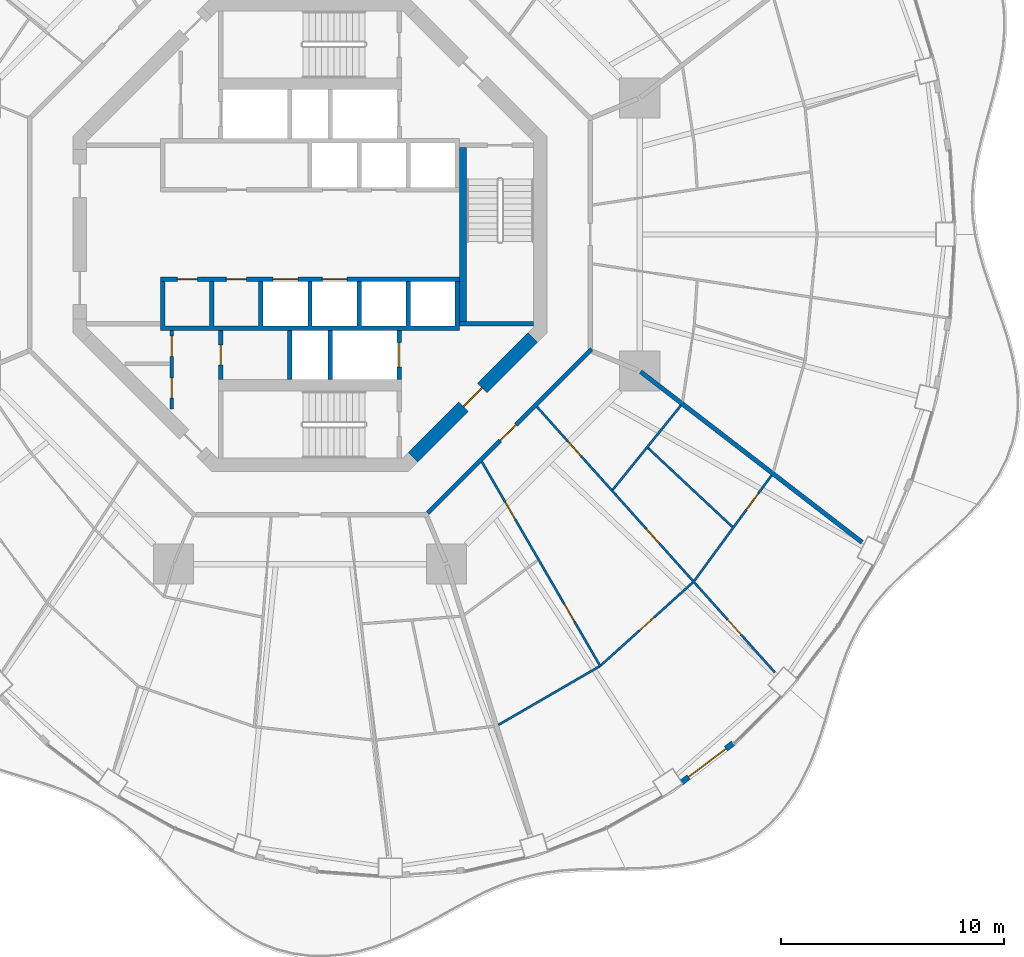
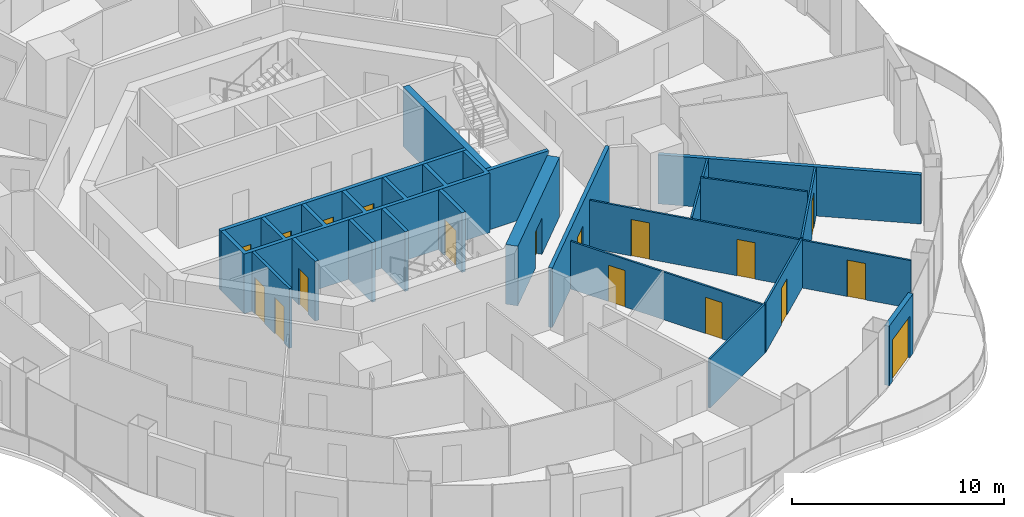
# One storey, part 12 of 19: 20 walls, 18 doors, 18 openings.
"""IFC4 building model written with IfcOpenShell, lengths in metres."""

import ifcopenshell
import ifcopenshell.guid

model = None  # the IFC model being written
_history = None  # IfcOwnerHistory: only IFC2X3 demands one
_inside = {}  # id of a spatial element -> (the spatial element, [elements in it])
_under = {}  # id of a project, library or spatial element -> (it, [spatial elements below it])
_declared = {}  # id of a project -> (the project, [libraries it declares])
_typed = {}  # id of a type object -> (the type object, [elements of that type])
_made_of = {}  # id of a material, layer set ... -> (it, [elements and type objects made of it])


def new_model(schema):
    """Start an empty IFC model of exactly this schema.

    Asked for "IFC4X3", IfcOpenShell would pick the latest addendum, in which some entities
    have other attributes; the version numbers below select the first issue.
    IFC2X3 requires an IfcOwnerHistory on every rooted entity: one is made here for all.
    """
    global model, _history
    if schema == "IFC4X3":
        model = ifcopenshell.file(schema_version=(4, 3, 0, 0))
    else:
        model = ifcopenshell.file(schema=schema)
    _inside.clear()
    _under.clear()
    _declared.clear()
    _typed.clear()
    _made_of.clear()
    _history = None
    if model.schema == "IFC2X3":
        org = make("IfcOrganization", Name="unknown")
        user = make(
            "IfcPersonAndOrganization",
            ThePerson=make("IfcPerson", FamilyName="unknown"),
            TheOrganization=org,
        )
        app = make(
            "IfcApplication",
            ApplicationDeveloper=org,
            Version="unknown",
            ApplicationFullName="unknown",
            ApplicationIdentifier="unknown",
        )
        _history = make(
            "IfcOwnerHistory",
            OwningUser=user,
            OwningApplication=app,
            ChangeAction="ADDED",
            CreationDate=0,
        )
    return model


def make(cls, **values):
    """One entity of the class cls with the attributes given. An attribute that is None is left unset."""
    return model.create_entity(
        cls, **{name: value for name, value in values.items() if value is not None}
    )


def rooted(cls, **values):
    """An entity with a GlobalId (a new one), such as an element, a storey or a relation."""
    return make(cls, GlobalId=ifcopenshell.guid.new(), OwnerHistory=_history, **values)


def si_unit(unit_type, name, prefix=None):
    """IfcSIUnit, for example si_unit("LENGTHUNIT", "METRE", prefix="MILLI")."""
    return make("IfcSIUnit", UnitType=unit_type, Prefix=prefix, Name=name)


def assignment(units):
    """IfcUnitAssignment: the units of a project."""
    return None if units is None else make("IfcUnitAssignment", Units=units)


def point(xyz):
    """IfcCartesianPoint."""
    return None if xyz is None else make("IfcCartesianPoint", Coordinates=xyz)


def direction(xyz):
    """IfcDirection."""
    return None if xyz is None else make("IfcDirection", DirectionRatios=xyz)


def frame(location, z_axis=None, x_axis=None):
    """IfcAxis2Placement3D, a coordinate frame: its origin and axes. An axis left out is left unset."""
    return make(
        "IfcAxis2Placement3D",
        Location=point(location),
        Axis=direction(z_axis),
        RefDirection=direction(x_axis),
    )


def frame_2d(location, x_axis=None):
    """IfcAxis2Placement2D, a coordinate frame in the plane: its origin and x axis."""
    return make(
        "IfcAxis2Placement2D", Location=point(location), RefDirection=direction(x_axis)
    )


def origin():
    """The frame at (0, 0, 0) with its axes left unset."""
    return frame((0.0, 0.0, 0.0))


def place(relative_to, where):
    """IfcLocalPlacement: puts the frame where relative to a parent placement (None: the world)."""
    return make(
        "IfcLocalPlacement", PlacementRelTo=relative_to, RelativePlacement=where
    )


def context(
    kind, dimensions, precision=None, world=None, true_north=None, identifier=None
):
    """IfcGeometricRepresentationContext, for example the 3D "Model" context."""
    return make(
        "IfcGeometricRepresentationContext",
        ContextIdentifier=identifier,
        ContextType=kind,
        CoordinateSpaceDimension=dimensions,
        Precision=precision,
        WorldCoordinateSystem=world,
        TrueNorth=true_north,
    )


def subcontext(parent, identifier, kind, view, scale=None):
    """IfcGeometricRepresentationSubContext, for example "Body" below "Model"."""
    return make(
        "IfcGeometricRepresentationSubContext",
        ContextIdentifier=identifier,
        ContextType=kind,
        ParentContext=parent,
        TargetScale=scale,
        TargetView=view,
    )


def project(units=None, contexts=None):
    """IfcProject with its units and contexts."""
    return rooted(
        "IfcProject",
        Name="project",
        RepresentationContexts=contexts,
        UnitsInContext=assignment(units),
    )


def spatial(cls, under=None, at=None, **own):
    """A site, building, storey or space (cls), placed at a placement, below another one or the project."""
    s = rooted(cls, ObjectPlacement=at, **own)
    if under is not None:
        _under.setdefault(under.id(), (under, []))[1].append(s)
    return s


def polyline(points):
    """IfcPolyline through the points."""
    return make("IfcPolyline", Points=[point(p) for p in points])


def profile(cls, at=None, kind="AREA", **sizes):
    """A parametric profile (cls). Its sizes go by their IFC names, for example OverallWidth=200.0."""
    return make(cls, ProfileType=kind, Position=at, **sizes)


def rectangle(**sizes):
    """IfcRectangleProfileDef."""
    return profile("IfcRectangleProfileDef", **sizes)


def outline(outer, holes=None, kind="AREA"):
    """IfcArbitraryClosedProfileDef: a profile drawn as a closed curve; with holes, ...WithVoids."""
    if holes is None:
        return make("IfcArbitraryClosedProfileDef", ProfileType=kind, OuterCurve=outer)
    return make(
        "IfcArbitraryProfileDefWithVoids",
        ProfileType=kind,
        OuterCurve=outer,
        InnerCurves=holes,
    )


def extrude(swept, where, along, depth):
    """IfcExtrudedAreaSolid: the profile swept, set in the frame where, extruded along a direction by depth."""
    return make(
        "IfcExtrudedAreaSolid",
        SweptArea=swept,
        Position=where,
        ExtrudedDirection=direction(along),
        Depth=depth,
    )


def shape(context_of_items, identifier, shape_type, items):
    """IfcShapeRepresentation: the items that make up one representation, for example the "Body"."""
    return make(
        "IfcShapeRepresentation",
        ContextOfItems=context_of_items,
        RepresentationIdentifier=identifier,
        RepresentationType=shape_type,
        Items=items,
    )


def material(Name=None, Category=None):
    """IfcMaterial."""
    return make("IfcMaterial", Name=Name, Category=Category)


def layer(
    of_material, thickness, ventilated=None, Name=None, Category=None, Priority=None
):
    """IfcMaterialLayer: one layer of a wall or slab, of a material (None: an air gap)."""
    return make(
        "IfcMaterialLayer",
        Material=of_material,
        LayerThickness=thickness,
        IsVentilated=ventilated,
        Name=Name,
        Category=Category,
        Priority=Priority,
    )


def layer_set(layers, Name=None):
    """IfcMaterialLayerSet."""
    return make("IfcMaterialLayerSet", MaterialLayers=layers, LayerSetName=Name)


def made_of(thing, what):
    """Note that an element or type object is made of a material, layer set ...; save() writes the relation."""
    if what is not None:
        _made_of.setdefault(what.id(), (what, []))[1].append(thing)
    return thing


def type_object(cls, material=None, **own):
    """A type object (cls), such as IfcWallType, which elements share."""
    return made_of(rooted(cls, **own), material)


def element(
    cls,
    number,
    at=None,
    inside=None,
    cuts=None,
    type_object=None,
    material=None,
    context=None,
    identifier="Body",
    shape_type=None,
    held_by="IfcProductDefinitionShape",
    body=None,
    shapes=None,
    **own,
):
    """One element of the class cls, such as IfcWall. Its Tag is "e" and its number.

    at: its placement. inside: the storey or other place that contains it. cuts: it is an
    opening in that element (IfcRelVoidsElement). A single representation is given by context,
    identifier, shape_type and body (its items); several are given by shapes. held_by: the class
    of the entity that holds the representations. save() writes the other relations.
    """
    e = rooted(cls, Tag="e%d" % number, ObjectPlacement=at, **own)
    if body is not None:
        shapes = [shape(context, identifier, shape_type, body)]
    if shapes is not None:
        e.Representation = make(held_by, Representations=shapes)
    if inside is not None:
        _inside.setdefault(inside.id(), (inside, []))[1].append(e)
    if cuts is not None:
        rooted(
            "IfcRelVoidsElement", RelatingBuildingElement=cuts, RelatedOpeningElement=e
        )
    if type_object is not None:
        _typed.setdefault(type_object.id(), (type_object, []))[1].append(e)
    return made_of(e, material)


def fill(opening, filler):
    """IfcRelFillsElement: the door or window that sits in an opening."""
    return rooted(
        "IfcRelFillsElement",
        RelatingOpeningElement=opening,
        RelatedBuildingElement=filler,
    )


def aggregate(whole, parts):
    """IfcRelAggregates: a whole, such as a stair, and the parts it consists of."""
    return rooted("IfcRelAggregates", RelatingObject=whole, RelatedObjects=parts)


def save(model, path):
    """Write the relations noted so far, then the file.

    IfcRelAggregates (storeys below a building ...), IfcRelContainedInSpatialStructure (elements
    in a storey), IfcRelDefinesByType, IfcRelAssociatesMaterial and IfcRelDeclares: one each for
    every whole, place, type object, material and project.
    """
    for whole, parts in _under.values():
        aggregate(whole, parts)
    for where, things in _inside.values():
        rooted(
            "IfcRelContainedInSpatialStructure",
            RelatedElements=things,
            RelatingStructure=where,
        )
    for kind, things in _typed.values():
        rooted("IfcRelDefinesByType", RelatedObjects=things, RelatingType=kind)
    for what, things in _made_of.values():
        rooted("IfcRelAssociatesMaterial", RelatedObjects=things, RelatingMaterial=what)
    for by, libraries in _declared.values():
        rooted("IfcRelDeclares", RelatingContext=by, RelatedDefinitions=libraries)
    model.write(path)


model = new_model("IFC4")

# Units and contexts
model_context = context("Model", 3, precision=1e-05, world=origin(), true_north=direction((0.0, 1.0)))
body_context = subcontext(model_context, "Body", "Model", "MODEL_VIEW")
ifc_project = project(units=[si_unit("LENGTHUNIT", "METRE"), si_unit("AREAUNIT", "SQUARE_METRE"), si_unit("VOLUMEUNIT", "CUBIC_METRE"), si_unit("PLANEANGLEUNIT", "RADIAN"), si_unit("MASSUNIT", "GRAM", prefix="KILO")], contexts=[model_context])

# Site, building, storey
site_placement = place(None, origin())
site = spatial("IfcSite", under=ifc_project, at=site_placement, CompositionType="ELEMENT")
building_placement = place(site_placement, origin())
building = spatial("IfcBuilding", under=site, at=building_placement, Name="Nagisa Residences", CompositionType="ELEMENT")
storey_placement = place(building_placement, frame((0.0, 0.0, 195.5)))
storey = spatial("IfcBuildingStorey", under=building, at=storey_placement, Name="L49", CompositionType="ELEMENT", Elevation=195.5)

# Wall
ifc_material_1 = material(Name="Gypsum board on steel studs", Category="steel")
ifc_layer_1 = layer(ifc_material_1, 0.199951171875)
ifc_layer_set_1 = layer_set([ifc_layer_1], Name="Apartment compartment wall EI60 200")
wall_type_1 = type_object("IfcWallType", Name="Apartment compartment wall EI60 200", PredefinedType="PARTITIONING", material=ifc_layer_set_1)
wall_1_placement = place(storey_placement, frame((14.82177734375, -6.153564453125, 0.0), z_axis=(0.0, 0.0, 1.0), x_axis=(0.792203056092, -0.610257583254, 0.0)))
element("IfcWall", 1, at=wall_1_placement, inside=storey, type_object=wall_type_1, Name="wall:L49:u09", PredefinedType="PARTITIONING", context=body_context, shape_type="SweptSolid", body=[
    extrude(rectangle(XDim=12.53271484375, YDim=0.199951171875, at=frame_2d((6.266357421875, 0.0))), origin(), (0.0, 0.0, 1.0), 2.8369140625),
])

# Wall, opening, door
ifc_material_2 = material(Name="Gypsum board on steel studs", Category="steel")
ifc_layer_2 = layer(ifc_material_2, 0.199951171875)
ifc_layer_set_2 = layer_set([ifc_layer_2], Name="Apartment entry wall EI60 200")
wall_type_2 = type_object("IfcWallType", Name="Apartment entry wall EI60 200", PredefinedType="PARTITIONING", material=ifc_layer_set_2)
wall_2_placement = place(storey_placement, frame((5.275146484375, -12.494140625, 0.0), z_axis=(0.0, 0.0, 1.0), x_axis=(0.707106781187, 0.707106781187, 0.0)))
wall_2 = element("IfcWall", 2, at=wall_2_placement, inside=storey, type_object=wall_type_2, Name="wall:L49:u17", PredefinedType="PARTITIONING", context=body_context, shape_type="SweptSolid", body=[
    extrude(rectangle(XDim=10.4091796875, YDim=0.199951171875, at=frame_2d((5.20458984375, 0.0))), origin(), (0.0, 0.0, 1.0), 3.43994140625),
])
opening_1_placement = place(wall_2_placement, frame((4.6044921875, 0.0, 0.0)))
opening_1 = element("IfcOpeningElement", 3, at=opening_1_placement, cuts=wall_2, Name="Opening L49-U14", PredefinedType="OPENING", context=body_context, shape_type="SweptSolid", body=[
    extrude(rectangle(XDim=1.0, YDim=2.10009765625, at=frame_2d((0.5, 1.050048828125))), frame((0.0, 0.10986328125, 0.0), z_axis=(0.0, -1.0, 0.0), x_axis=(1.0, 0.0, 0.0)), (0.0, 0.0, 1.0), 0.219970703125),
])
ifc_material_3 = material(Name="Timber fire door set", Category="wood")
door_type_1 = type_object("IfcDoorType", Name="Apartment entry door FD30S 1000x2100", OperationType="NOTDEFINED", PredefinedType="DOOR", material=ifc_material_3)
door_1_placement = place(opening_1_placement, frame((1.0, 0.0, 0.0), x_axis=(-1.0, 0.0, 0.0)))
door_1 = element("IfcDoor", 4, at=door_1_placement, inside=storey, type_object=door_type_1, Name="Entry door, Apartment 49B", OperationType="SINGLE_SWING_LEFT", OverallHeight=2.10009765625, OverallWidth=1.0, PredefinedType="DOOR", context=body_context, shape_type="SweptSolid", body=[
    extrude(rectangle(XDim=1.0, YDim=2.10009765625, at=frame_2d((0.5, 1.050048828125))), frame((0.0, 0.02490234375, 0.0), z_axis=(0.0, -1.0, 0.0), x_axis=(1.0, 0.0, 0.0)), (0.0, 0.0, 1.0), 0.050048828125),
])
fill(opening_1, door_1)

# Wall
ifc_material_4 = material(Name="Gypsum board on steel studs", Category="steel")
ifc_layer_3 = layer(ifc_material_4, 0.10009765625)
ifc_layer_set_3 = layer_set([ifc_layer_3], Name="Apartment partition 100")
wall_type_3 = type_object("IfcWallType", Name="Apartment partition 100", PredefinedType="PARTITIONING", material=ifc_layer_set_3)
wall_3_placement = place(storey_placement, frame((8.4482421875, -21.988037109375, 0.0), z_axis=(0.0, 0.0, 1.0), x_axis=(0.865286427811, 0.501277765163, 0.0)))
element("IfcWall", 5, at=wall_3_placement, inside=storey, type_object=wall_type_3, Name="wall:L49:u77", PredefinedType="PARTITIONING", context=body_context, shape_type="SweptSolid", body=[
    extrude(rectangle(XDim=5.219970703125, YDim=0.10009765625, at=frame_2d((2.60986328125, 0.0))), origin(), (0.0, 0.0, 1.0), 2.8369140625),
])

# Wall, openings, doors
wall_4_placement = place(storey_placement, frame((7.7080078125, -10.19775390625, 0.0), z_axis=(0.0, 0.0, 1.0), x_axis=(0.501288100085, -0.865280440501, 0.0)))
wall_4 = element("IfcWall", 6, at=wall_4_placement, inside=storey, type_object=wall_type_3, Name="wall:L49:u78", PredefinedType="PARTITIONING", context=body_context, shape_type="SweptSolid", body=[
    extrude(rectangle(XDim=10.623046875, YDim=0.10009765625, at=frame_2d((5.3115234375, 0.0))), origin(), (0.0, 0.0, 1.0), 2.756103515625),
])
opening_2_placement = place(wall_4_placement, frame((2.082275390625, 0.0, 0.0)))
opening_2 = element("IfcOpeningElement", 7, at=opening_2_placement, cuts=wall_4, Name="Opening L49-U15", PredefinedType="OPENING", context=body_context, shape_type="SweptSolid", body=[
    extrude(rectangle(XDim=0.89990234375, YDim=2.10009765625, at=frame_2d((0.449951171875, 1.050048828125))), frame((0.0, 0.06005859375, 0.0), z_axis=(0.0, -1.0, 0.0), x_axis=(1.0, 0.0, 0.0)), (0.0, 0.0, 1.0), 0.1201171875),
])
opening_3_placement = place(wall_4_placement, frame((7.36865234375, 0.0, 0.0)))
opening_3 = element("IfcOpeningElement", 8, at=opening_3_placement, cuts=wall_4, Name="Opening L49-U17", PredefinedType="OPENING", context=body_context, shape_type="SweptSolid", body=[
    extrude(rectangle(XDim=0.89990234375, YDim=2.10009765625, at=frame_2d((0.449951171875, 1.050048828125))), frame((0.0, 0.06005859375, 0.0), z_axis=(0.0, -1.0, 0.0), x_axis=(1.0, 0.0, 0.0)), (0.0, 0.0, 1.0), 0.1201171875),
])
ifc_material_5 = material(Name="Timber door set", Category="wood")
door_type_2 = type_object("IfcDoorType", Name="Apartment door 900x2100", OperationType="NOTDEFINED", PredefinedType="DOOR", material=ifc_material_5)
door_2_placement = place(opening_2_placement, frame((0.89990234375, 0.0, 0.0), x_axis=(-1.0, 0.0, 0.0)))
door_2 = element("IfcDoor", 9, at=door_2_placement, inside=storey, type_object=door_type_2, Name="Door to store, Apartment 49B", OperationType="SINGLE_SWING_RIGHT", OverallHeight=2.10009765625, OverallWidth=0.89990234375, PredefinedType="DOOR", context=body_context, shape_type="SweptSolid", body=[
    extrude(rectangle(XDim=0.89990234375, YDim=2.10009765625, at=frame_2d((0.449951171875, 1.050048828125))), frame((0.0, 0.02490234375, 0.0), z_axis=(0.0, -1.0, 0.0), x_axis=(1.0, 0.0, 0.0)), (0.0, 0.0, 1.0), 0.050048828125),
])
fill(opening_2, door_2)
door_3_placement = place(opening_3_placement, frame((0.89990234375, 0.0, 0.0), x_axis=(-1.0, 0.0, 0.0)))
door_3 = element("IfcDoor", 10, at=door_3_placement, inside=storey, type_object=door_type_2, Name="Door to kitchen, Apartment 49B", OperationType="SINGLE_SWING_RIGHT", OverallHeight=2.10009765625, OverallWidth=0.89990234375, PredefinedType="DOOR", context=body_context, shape_type="SweptSolid", body=[
    extrude(rectangle(XDim=0.89990234375, YDim=2.10009765625, at=frame_2d((0.449951171875, 1.050048828125))), frame((0.0, 0.02490234375, 0.0), z_axis=(0.0, -1.0, 0.0), x_axis=(1.0, 0.0, 0.0)), (0.0, 0.0, 1.0), 0.050048828125),
])
fill(opening_3, door_3)

# Wall, opening, door
wall_5_placement = place(storey_placement, frame((13.04541015625, -19.312744140625, 0.0), z_axis=(0.0, 0.0, 1.0), x_axis=(0.742790086539, 0.66952437397, 0.0)))
wall_5 = element("IfcWall", 11, at=wall_5_placement, inside=storey, type_object=wall_type_3, Name="wall:L49:u79", PredefinedType="PARTITIONING", context=body_context, shape_type="SweptSolid", body=[
    extrude(rectangle(XDim=5.54150390625, YDim=0.10009765625, at=frame_2d((2.770751953125, 0.0))), origin(), (0.0, 0.0, 1.0), 2.8369140625),
])
opening_4_placement = place(wall_5_placement, frame((2.32080078125, 0.0, 0.0)))
opening_4 = element("IfcOpeningElement", 12, at=opening_4_placement, cuts=wall_5, Name="Opening L49-U19", PredefinedType="OPENING", context=body_context, shape_type="SweptSolid", body=[
    extrude(rectangle(XDim=0.89990234375, YDim=2.10009765625, at=frame_2d((0.449951171875, 1.050048828125))), frame((0.0, 0.06005859375, 0.0), z_axis=(0.0, -1.0, 0.0), x_axis=(1.0, 0.0, 0.0)), (0.0, 0.0, 1.0), 0.1201171875),
])
door_4_placement = place(opening_4_placement, frame((0.89990234375, 0.0, 0.0), x_axis=(-1.0, 0.0, 0.0)))
door_4 = element("IfcDoor", 13, at=door_4_placement, inside=storey, type_object=door_type_2, Name="Door to living room, Apartment 49B", OperationType="SINGLE_SWING_RIGHT", OverallHeight=2.10009765625, OverallWidth=0.89990234375, PredefinedType="DOOR", context=body_context, shape_type="SweptSolid", body=[
    extrude(rectangle(XDim=0.89990234375, YDim=2.10009765625, at=frame_2d((0.449951171875, 1.050048828125))), frame((0.0, 0.02490234375, 0.0), z_axis=(0.0, -1.0, 0.0), x_axis=(1.0, 0.0, 0.0)), (0.0, 0.0, 1.0), 0.050048828125),
])
fill(opening_4, door_4)

# Wall, openings, doors
wall_6_placement = place(storey_placement, frame((10.177978515625, -7.732421875, 0.0), z_axis=(0.0, 0.0, 1.0), x_axis=(0.667283629999, -0.74480370376, 0.0)))
wall_6 = element("IfcWall", 14, at=wall_6_placement, inside=storey, type_object=wall_type_3, Name="wall:L49:u80", PredefinedType="PARTITIONING", context=body_context, shape_type="SweptSolid", body=[
    extrude(rectangle(XDim=15.983154296875, YDim=0.10009765625, at=frame_2d((7.99169921875, 0.0))), origin(), (0.0, 0.0, 1.0), 2.756103515625),
])
opening_5_placement = place(wall_6_placement, frame((2.069580078125, 0.0, 0.0)))
opening_5 = element("IfcOpeningElement", 15, at=opening_5_placement, cuts=wall_6, Name="Opening L49-U16", PredefinedType="OPENING", context=body_context, shape_type="SweptSolid", body=[
    extrude(rectangle(XDim=0.89990234375, YDim=2.10009765625, at=frame_2d((0.449951171875, 1.050048828125))), frame((0.0, 0.06005859375, 0.0), z_axis=(0.0, -1.0, 0.0), x_axis=(1.0, 0.0, 0.0)), (0.0, 0.0, 1.0), 0.1201171875),
])
opening_6_placement = place(wall_6_placement, frame((7.33056640625, 0.0, 0.0)))
opening_6 = element("IfcOpeningElement", 16, at=opening_6_placement, cuts=wall_6, Name="Opening L49-U18", PredefinedType="OPENING", context=body_context, shape_type="SweptSolid", body=[
    extrude(rectangle(XDim=0.89990234375, YDim=2.10009765625, at=frame_2d((0.449951171875, 1.050048828125))), frame((0.0, 0.06005859375, 0.0), z_axis=(0.0, -1.0, 0.0), x_axis=(1.0, 0.0, 0.0)), (0.0, 0.0, 1.0), 0.1201171875),
])
opening_7_placement = place(wall_6_placement, frame((12.80224609375, 0.0, 0.0)))
opening_7 = element("IfcOpeningElement", 17, at=opening_7_placement, cuts=wall_6, Name="Opening L49-U20", PredefinedType="OPENING", context=body_context, shape_type="SweptSolid", body=[
    extrude(rectangle(XDim=0.89990234375, YDim=2.10009765625, at=frame_2d((0.449951171875, 1.050048828125))), frame((0.0, 0.06005859375, 0.0), z_axis=(0.0, -1.0, 0.0), x_axis=(1.0, 0.0, 0.0)), (0.0, 0.0, 1.0), 0.1201171875),
])
door_5_placement = place(opening_5_placement, origin())
door_5 = element("IfcDoor", 18, at=door_5_placement, inside=storey, type_object=door_type_2, Name="Door to family bathroom, Apartment 49B", OperationType="SINGLE_SWING_RIGHT", OverallHeight=2.10009765625, OverallWidth=0.89990234375, PredefinedType="DOOR", context=body_context, shape_type="SweptSolid", body=[
    extrude(rectangle(XDim=0.89990234375, YDim=2.10009765625, at=frame_2d((0.449951171875, 1.050048828125))), frame((0.0, 0.02490234375, 0.0), z_axis=(0.0, -1.0, 0.0), x_axis=(1.0, 0.0, 0.0)), (0.0, 0.0, 1.0), 0.050048828125),
])
fill(opening_5, door_5)
door_6_placement = place(opening_6_placement, origin())
door_6 = element("IfcDoor", 19, at=door_6_placement, inside=storey, type_object=door_type_2, Name="Door to family bathroom, Apartment 49B", OperationType="SINGLE_SWING_RIGHT", OverallHeight=2.10009765625, OverallWidth=0.89990234375, PredefinedType="DOOR", context=body_context, shape_type="SweptSolid", body=[
    extrude(rectangle(XDim=0.89990234375, YDim=2.10009765625, at=frame_2d((0.449951171875, 1.050048828125))), frame((0.0, 0.02490234375, 0.0), z_axis=(0.0, -1.0, 0.0), x_axis=(1.0, 0.0, 0.0)), (0.0, 0.0, 1.0), 0.050048828125),
])
fill(opening_6, door_6)
door_7_placement = place(opening_7_placement, origin())
door_7 = element("IfcDoor", 20, at=door_7_placement, inside=storey, type_object=door_type_2, Name="Door to master bedroom, Apartment 49B", OperationType="SINGLE_SWING_RIGHT", OverallHeight=2.10009765625, OverallWidth=0.89990234375, PredefinedType="DOOR", context=body_context, shape_type="SweptSolid", body=[
    extrude(rectangle(XDim=0.89990234375, YDim=2.10009765625, at=frame_2d((0.449951171875, 1.050048828125))), frame((0.0, 0.02490234375, 0.0), z_axis=(0.0, -1.0, 0.0), x_axis=(1.0, 0.0, 0.0)), (0.0, 0.0, 1.0), 0.050048828125),
])
fill(opening_7, door_7)

# Wall
wall_7_placement = place(storey_placement, frame((13.572265625, -11.447021484375, 0.0), z_axis=(0.0, 0.0, 1.0), x_axis=(0.628738316533, 0.777616955399, 0.0)))
element("IfcWall", 21, at=wall_7_placement, inside=storey, type_object=wall_type_3, Name="wall:L49:u81", PredefinedType="PARTITIONING", context=body_context, shape_type="SweptSolid", body=[
    extrude(rectangle(XDim=4.857177734375, YDim=0.10009765625, at=frame_2d((2.4287109375, 0.0))), origin(), (0.0, 0.0, 1.0), 2.8369140625),
])

# Wall, opening, door
wall_8_placement = place(storey_placement, frame((17.228515625, -15.528564453125, 0.0), z_axis=(0.0, 0.0, 1.0), x_axis=(0.591110768293, 0.806590391468, 0.0)))
wall_8 = element("IfcWall", 22, at=wall_8_placement, inside=storey, type_object=wall_type_3, Name="wall:L49:u82", PredefinedType="PARTITIONING", context=body_context, shape_type="SweptSolid", body=[
    extrude(rectangle(XDim=5.85986328125, YDim=0.10009765625, at=frame_2d((2.929931640625, 0.0))), origin(), (0.0, 0.0, 1.0), 2.8369140625),
])
opening_8_placement = place(wall_8_placement, frame((3.95751953125, 0.0, 0.0)))
opening_8 = element("IfcOpeningElement", 23, at=opening_8_placement, cuts=wall_8, Name="Opening L49-U21", PredefinedType="OPENING", context=body_context, shape_type="SweptSolid", body=[
    extrude(rectangle(XDim=0.89990234375, YDim=2.10009765625, at=frame_2d((0.449951171875, 1.050048828125))), frame((0.0, 0.06005859375, 0.0), z_axis=(0.0, -1.0, 0.0), x_axis=(1.0, 0.0, 0.0)), (0.0, 0.0, 1.0), 0.1201171875),
])
door_8_placement = place(opening_8_placement, origin())
door_8 = element("IfcDoor", 24, at=door_8_placement, inside=storey, type_object=door_type_2, Name="Door to en-suite bathroom, Apartment 49B", OperationType="SINGLE_SWING_LEFT", OverallHeight=2.10009765625, OverallWidth=0.89990234375, PredefinedType="DOOR", context=body_context, shape_type="SweptSolid", body=[
    extrude(rectangle(XDim=0.89990234375, YDim=2.10009765625, at=frame_2d((0.449951171875, 1.050048828125))), frame((0.0, 0.02490234375, 0.0), z_axis=(0.0, -1.0, 0.0), x_axis=(1.0, 0.0, 0.0)), (0.0, 0.0, 1.0), 0.050048828125),
])
fill(opening_8, door_8)

# Wall
wall_9_placement = place(storey_placement, frame((15.151611328125, -9.572998046875, 0.0), z_axis=(0.0, 0.0, 1.0), x_axis=(0.730723083214, -0.682673989294, 0.0)))
element("IfcWall", 25, at=wall_9_placement, inside=storey, type_object=wall_type_3, Name="wall:L49:u83", PredefinedType="PARTITIONING", context=body_context, shape_type="SweptSolid", body=[
    extrude(rectangle(XDim=5.1826171875, YDim=0.10009765625, at=frame_2d((2.59130859375, 0.0))), origin(), (0.0, 0.0, 1.0), 3.43994140625),
])

# Wall, opening, door
ifc_material_6 = material(Name="Precast concrete C40/50", Category="concrete")
ifc_layer_4 = layer(ifc_material_6, 0.25)
ifc_layer_set_4 = layer_set([ifc_layer_4], Name="BALCONY DOOR WALL 250")
wall_type_4 = type_object("IfcWallType", Name="BALCONY DOOR WALL 250", PredefinedType="SOLIDWALL", material=ifc_layer_set_4)
wall_10_placement = place(storey_placement, frame((18.9716796875, -22.80859375, 0.0), z_axis=(0.0, 0.0, 1.0), x_axis=(-0.796055733703, -0.60522332146, 0.0)))
wall_10 = element("IfcWall", 26, at=wall_10_placement, inside=storey, type_object=wall_type_4, Name="wall:L49:bay40", PredefinedType="SOLIDWALL", context=body_context, shape_type="SweptSolid", body=[
    extrude(rectangle(XDim=2.9169921875, YDim=0.25, at=frame_2d((1.45849609375, 0.0))), origin(), (0.0, 0.0, 1.0), 3.43994140625),
])
opening_9_placement = place(wall_10_placement, frame((0.408447265625, 0.0, 0.0)))
opening_9 = element("IfcOpeningElement", 27, at=opening_9_placement, cuts=wall_10, Name="Opening BD-L49-14", PredefinedType="OPENING", context=body_context, shape_type="SweptSolid", body=[
    extrude(rectangle(XDim=2.10009765625, YDim=2.39990234375, at=frame_2d((1.050048828125, 1.199951171875))), frame((0.0, 0.135009765625, 0.0), z_axis=(0.0, -1.0, 0.0), x_axis=(1.0, 0.0, 0.0)), (0.0, 0.0, 1.0), 0.27001953125),
])
ifc_material_7 = material(Name="Aluminium and clear glass", Category="aluminium")
door_type_3 = type_object("IfcDoorType", Name="BALCONY SLIDING DOOR 2100x2400", OperationType="SLIDING_TO_LEFT", PredefinedType="DOOR", material=ifc_material_7)
door_9_placement = place(opening_9_placement, origin())
door_9 = element("IfcDoor", 28, at=door_9_placement, inside=storey, type_object=door_type_3, Name="door:L49:bay40", OperationType="SLIDING_TO_LEFT", OverallHeight=2.39990234375, OverallWidth=2.10009765625, PredefinedType="DOOR", context=body_context, shape_type="SweptSolid", body=[
    extrude(rectangle(XDim=2.10009765625, YDim=2.39990234375, at=frame_2d((1.050048828125, 1.199951171875))), frame((0.0, 0.02490234375, 0.0), z_axis=(0.0, -1.0, 0.0), x_axis=(1.0, 0.0, 0.0)), (0.0, 0.0, 1.0), 0.050048828125),
])
fill(opening_9, door_9)

# Wall, openings, doors
ifc_material_8 = material(Name="Gypsum board on steel studs", Category="steel")
ifc_layer_5 = layer(ifc_material_8, 0.14990234375)
ifc_layer_set_5 = layer_set([ifc_layer_5], Name="Core partition 150")
wall_type_5 = type_object("IfcWallType", Name="Core partition 150", PredefinedType="PARTITIONING", material=ifc_layer_set_5)
wall_11_placement = place(storey_placement, frame((-6.199951171875, -7.826904296875, 0.0), z_axis=(0.0, 0.0, 1.0), x_axis=(0.0, 1.0, 0.0)))
wall_11 = element("IfcWall", 29, at=wall_11_placement, inside=storey, type_object=wall_type_5, Name="wall:L49:SWp", PredefinedType="PARTITIONING", context=body_context, shape_type="SweptSolid", body=[
    extrude(rectangle(XDim=3.52685546875, YDim=0.14990234375, at=frame_2d((1.763427734375, 0.0))), origin(), (0.0, 0.0, 1.0), 3.43994140625),
])
opening_10_placement = place(wall_11_placement, frame((2.364501953125, 0.0, 0.0)))
opening_10 = element("IfcOpeningElement", 30, at=opening_10_placement, cuts=wall_11, Name="Opening L49-C12", PredefinedType="OPENING", context=body_context, shape_type="SweptSolid", body=[
    extrude(rectangle(XDim=0.89990234375, YDim=2.10009765625, at=frame_2d((0.449951171875, 1.050048828125))), frame((0.0, 0.0849609375, 0.0), z_axis=(0.0, -1.0, 0.0), x_axis=(1.0, 0.0, 0.0)), (0.0, 0.0, 1.0), 0.169921875),
])
opening_11_placement = place(wall_11_placement, frame((0.488525390625, 0.0, 0.0)))
opening_11 = element("IfcOpeningElement", 31, at=opening_11_placement, cuts=wall_11, Name="Opening L49-C13", PredefinedType="OPENING", context=body_context, shape_type="SweptSolid", body=[
    extrude(rectangle(XDim=0.89990234375, YDim=2.10009765625, at=frame_2d((0.449951171875, 1.050048828125))), frame((0.0, 0.0849609375, 0.0), z_axis=(0.0, -1.0, 0.0), x_axis=(1.0, 0.0, 0.0)), (0.0, 0.0, 1.0), 0.169921875),
])
ifc_material_9 = material(Name="Steel fire door", Category="steel")
door_type_4 = type_object("IfcDoorType", Name="Fire door EI30 900x2100 single swing", OperationType="NOTDEFINED", PredefinedType="DOOR", material=ifc_material_9)
door_10_placement = place(opening_10_placement, origin())
door_10 = element("IfcDoor", 32, at=door_10_placement, inside=storey, type_object=door_type_4, Name="Cleaner store door L49", OperationType="SINGLE_SWING_LEFT", OverallHeight=2.10009765625, OverallWidth=0.89990234375, PredefinedType="DOOR", context=body_context, shape_type="SweptSolid", body=[
    extrude(rectangle(XDim=0.89990234375, YDim=2.10009765625, at=frame_2d((0.449951171875, 1.050048828125))), frame((0.0, 0.02490234375, 0.0), z_axis=(0.0, -1.0, 0.0), x_axis=(1.0, 0.0, 0.0)), (0.0, 0.0, 1.0), 0.050048828125),
])
fill(opening_10, door_10)
door_11_placement = place(opening_11_placement, origin())
door_11 = element("IfcDoor", 33, at=door_11_placement, inside=storey, type_object=door_type_4, Name="Package room door L49", OperationType="SINGLE_SWING_LEFT", OverallHeight=2.10009765625, OverallWidth=0.89990234375, PredefinedType="DOOR", context=body_context, shape_type="SweptSolid", body=[
    extrude(rectangle(XDim=0.89990234375, YDim=2.10009765625, at=frame_2d((0.449951171875, 1.050048828125))), frame((0.0, 0.02490234375, 0.0), z_axis=(0.0, -1.0, 0.0), x_axis=(1.0, 0.0, 0.0)), (0.0, 0.0, 1.0), 0.050048828125),
])
fill(opening_11, door_11)

# Wall, opening, door
ifc_material_10 = material(Name="Concrete C60", Category="concrete")
ifc_layer_6 = layer(ifc_material_10, 0.60009765625)
ifc_layer_set_6 = layer_set([ifc_layer_6], Name="Core shear wall 600")
wall_type_6 = type_object("IfcWallType", Name="Core shear wall 600", PredefinedType="SHEAR", material=ifc_layer_set_6)
wall_12_placement = place(storey_placement, frame((4.613037109375, -9.98828125, 0.0), z_axis=(0.0, 0.0, 1.0), x_axis=(0.707106781187, 0.707106781187, 0.0)))
wall_12 = element("IfcWall", 34, at=wall_12_placement, inside=storey, type_object=wall_type_6, Name="wall:L49:core:flat7", PredefinedType="SHEAR", context=body_context, shape_type="SweptSolid", body=[
    extrude(rectangle(XDim=7.601806640625, YDim=0.60009765625, at=frame_2d((3.80078125, 0.0))), origin(), (0.0, 0.0, 1.0), 3.43994140625),
])
opening_12_placement = place(wall_12_placement, frame((3.200927734375, 0.0, 0.0)))
opening_12 = element("IfcOpeningElement", 35, at=opening_12_placement, cuts=wall_12, Name="Opening L49-C19", PredefinedType="OPENING", context=body_context, shape_type="SweptSolid", body=[
    extrude(rectangle(XDim=1.199951171875, YDim=2.10009765625, at=frame_2d((0.60009765625, 1.050048828125))), frame((0.0, 0.31005859375, 0.0), z_axis=(0.0, -1.0, 0.0), x_axis=(1.0, 0.0, 0.0)), (0.0, 0.0, 1.0), 0.6201171875),
])
ifc_material_11 = material(Name="Steel fire door", Category="steel")
door_type_5 = type_object("IfcDoorType", Name="Fire door EI60 1200x2100 single swing", OperationType="NOTDEFINED", PredefinedType="DOOR", material=ifc_material_11)
door_12_placement = place(opening_12_placement, origin())
door_12 = element("IfcDoor", 36, at=door_12_placement, inside=storey, type_object=door_type_5, Name="Firefighting lobby 2 door L49", OperationType="SINGLE_SWING_RIGHT", OverallHeight=2.10009765625, OverallWidth=1.199951171875, PredefinedType="DOOR", context=body_context, shape_type="SweptSolid", body=[
    extrude(rectangle(XDim=1.199951171875, YDim=2.10009765625, at=frame_2d((0.60009765625, 1.050048828125))), frame((0.0, 0.02490234375, 0.0), z_axis=(0.0, -1.0, 0.0), x_axis=(1.0, 0.0, 0.0)), (0.0, 0.0, 1.0), 0.050048828125),
])
fill(opening_12, door_12)

ifc_material_12 = material(Name="Concrete C60", Category="concrete")
ifc_layer_7 = layer(ifc_material_12, 0.199951171875)
ifc_layer_set_7 = layer_set([ifc_layer_7], Name="Lift shaft wall 200")
wall_type_7 = type_object("IfcWallType", Name="Lift shaft wall 200", PredefinedType="SOLIDWALL", material=ifc_layer_set_7)
wall_13_placement = place(storey_placement, frame((4.0, -6.5, 0.0), z_axis=(0.0, 0.0, 1.0), x_axis=(0.0, 1.0, 0.0)))
wall_13 = element("IfcWall", 37, at=wall_13_placement, inside=storey, type_object=wall_type_7, Name="wall:L49:Sb3", PredefinedType="SOLIDWALL", context=body_context, shape_type="SweptSolid", body=[
    extrude(rectangle(XDim=2.199951171875, YDim=0.199951171875, at=frame_2d((1.10009765625, 0.0))), origin(), (0.0, 0.0, 1.0), 3.43994140625),
])
opening_13_placement = place(wall_13_placement, frame((0.550048828125, 0.0, 0.0)))
opening_13 = element("IfcOpeningElement", 38, at=opening_13_placement, cuts=wall_13, Name="Opening L49-C06", PredefinedType="OPENING", context=body_context, shape_type="SweptSolid", body=[
    extrude(rectangle(XDim=1.10009765625, YDim=2.10009765625, at=frame_2d((0.550048828125, 1.050048828125))), frame((0.0, 0.10986328125, 0.0), z_axis=(0.0, -1.0, 0.0), x_axis=(1.0, 0.0, 0.0)), (0.0, 0.0, 1.0), 0.219970703125),
])
ifc_material_13 = material(Name="Stainless steel", Category="steel")
door_type_6 = type_object("IfcDoorType", Name="Lift landing door 1100x2100", OperationType="DOUBLE_DOOR_SLIDING", PredefinedType="DOOR", material=ifc_material_13)
door_13_placement = place(opening_13_placement, origin())
door_13 = element("IfcDoor", 39, at=door_13_placement, inside=storey, type_object=door_type_6, Name="Landing door FL2 L49", OperationType="DOUBLE_DOOR_SLIDING", OverallHeight=2.10009765625, OverallWidth=1.10009765625, PredefinedType="DOOR", context=body_context, shape_type="SweptSolid", body=[
    extrude(rectangle(XDim=1.10009765625, YDim=2.10009765625, at=frame_2d((0.550048828125, 1.050048828125))), frame((0.0, 0.02490234375, 0.0), z_axis=(0.0, -1.0, 0.0), x_axis=(1.0, 0.0, 0.0)), (0.0, 0.0, 1.0), 0.050048828125),
])
fill(opening_13, door_13)

wall_14_placement = place(storey_placement, frame((-4.0, -6.5, 0.0), z_axis=(0.0, 0.0, 1.0), x_axis=(0.0, 1.0, 0.0)))
wall_14 = element("IfcWall", 40, at=wall_14_placement, inside=storey, type_object=wall_type_7, Name="wall:L49:Sb4", PredefinedType="SOLIDWALL", context=body_context, shape_type="SweptSolid", body=[
    extrude(rectangle(XDim=2.199951171875, YDim=0.199951171875, at=frame_2d((1.10009765625, 0.0))), origin(), (0.0, 0.0, 1.0), 3.43994140625),
])
opening_14_placement = place(wall_14_placement, frame((0.64990234375, 0.0, 0.0)))
opening_14 = element("IfcOpeningElement", 41, at=opening_14_placement, cuts=wall_14, Name="Opening L49-C14", PredefinedType="OPENING", context=body_context, shape_type="SweptSolid", body=[
    extrude(rectangle(XDim=0.89990234375, YDim=2.10009765625, at=frame_2d((0.449951171875, 1.050048828125))), frame((0.0, 0.10986328125, 0.0), z_axis=(0.0, -1.0, 0.0), x_axis=(1.0, 0.0, 0.0)), (0.0, 0.0, 1.0), 0.219970703125),
])
door_14_placement = place(opening_14_placement, frame((0.89990234375, 0.0, 0.0), x_axis=(-1.0, 0.0, 0.0)))
door_14 = element("IfcDoor", 42, at=door_14_placement, inside=storey, type_object=door_type_4, Name="Refuse room door L49", OperationType="SINGLE_SWING_RIGHT", OverallHeight=2.10009765625, OverallWidth=0.89990234375, PredefinedType="DOOR", context=body_context, shape_type="SweptSolid", body=[
    extrude(rectangle(XDim=0.89990234375, YDim=2.10009765625, at=frame_2d((0.449951171875, 1.050048828125))), frame((0.0, 0.02490234375, 0.0), z_axis=(0.0, -1.0, 0.0), x_axis=(1.0, 0.0, 0.0)), (0.0, 0.0, 1.0), 0.050048828125),
])
fill(opening_14, door_14)

# Wall, openings, doors
wall_15_placement = place(storey_placement, frame((-6.699951171875, -2.0, 0.0), z_axis=(0.0, 0.0, 1.0), x_axis=(1.0, 0.0, 0.0)))
wall_15 = element("IfcWall", 43, at=wall_15_placement, inside=storey, type_object=wall_type_7, Name="wall:L49:Sfront", PredefinedType="SOLIDWALL", context=body_context, shape_type="SweptSolid", body=[
    extrude(rectangle(XDim=13.39990234375, YDim=0.199951171875, at=frame_2d((6.699951171875, 0.0))), origin(), (0.0, 0.0, 1.0), 3.43994140625),
])
opening_15_placement = place(wall_15_placement, frame((5.050048828125, 0.0, 0.0)))
opening_15 = element("IfcOpeningElement", 44, at=opening_15_placement, cuts=wall_15, Name="Opening L49-C03", PredefinedType="OPENING", context=body_context, shape_type="SweptSolid", body=[
    extrude(rectangle(XDim=1.10009765625, YDim=2.10009765625, at=frame_2d((0.550048828125, 1.050048828125))), frame((0.0, 0.10986328125, 0.0), z_axis=(0.0, -1.0, 0.0), x_axis=(1.0, 0.0, 0.0)), (0.0, 0.0, 1.0), 0.219970703125),
])
opening_16_placement = place(wall_15_placement, frame((7.25, 0.0, 0.0)))
opening_16 = element("IfcOpeningElement", 45, at=opening_16_placement, cuts=wall_15, Name="Opening L49-C04", PredefinedType="OPENING", context=body_context, shape_type="SweptSolid", body=[
    extrude(rectangle(XDim=1.10009765625, YDim=2.10009765625, at=frame_2d((0.550048828125, 1.050048828125))), frame((0.0, 0.10986328125, 0.0), z_axis=(0.0, -1.0, 0.0), x_axis=(1.0, 0.0, 0.0)), (0.0, 0.0, 1.0), 0.219970703125),
])
opening_17_placement = place(wall_15_placement, frame((0.75, 0.0, 0.0)))
opening_17 = element("IfcOpeningElement", 46, at=opening_17_placement, cuts=wall_15, Name="Opening L49-C16", PredefinedType="OPENING", context=body_context, shape_type="SweptSolid", body=[
    extrude(rectangle(XDim=0.89990234375, YDim=2.10009765625, at=frame_2d((0.449951171875, 1.050048828125))), frame((0.0, 0.10986328125, 0.0), z_axis=(0.0, -1.0, 0.0), x_axis=(1.0, 0.0, 0.0)), (0.0, 0.0, 1.0), 0.219970703125),
])
opening_18_placement = place(wall_15_placement, frame((2.949951171875, 0.0, 0.0)))
opening_18 = element("IfcOpeningElement", 47, at=opening_18_placement, cuts=wall_15, Name="Opening L49-C17", PredefinedType="OPENING", context=body_context, shape_type="SweptSolid", body=[
    extrude(rectangle(XDim=0.89990234375, YDim=2.10009765625, at=frame_2d((0.449951171875, 1.050048828125))), frame((0.0, 0.10986328125, 0.0), z_axis=(0.0, -1.0, 0.0), x_axis=(1.0, 0.0, 0.0)), (0.0, 0.0, 1.0), 0.219970703125),
])
door_15_placement = place(opening_17_placement, frame((0.89990234375, 0.0, 0.0), x_axis=(-1.0, 0.0, 0.0)))
door_15 = element("IfcDoor", 48, at=door_15_placement, inside=storey, type_object=door_type_4, Name="Recycling room door L49", OperationType="SINGLE_SWING_LEFT", OverallHeight=2.10009765625, OverallWidth=0.89990234375, PredefinedType="DOOR", context=body_context, shape_type="SweptSolid", body=[
    extrude(rectangle(XDim=0.89990234375, YDim=2.10009765625, at=frame_2d((0.449951171875, 1.050048828125))), frame((0.0, 0.02490234375, 0.0), z_axis=(0.0, -1.0, 0.0), x_axis=(1.0, 0.0, 0.0)), (0.0, 0.0, 1.0), 0.050048828125),
])
fill(opening_17, door_15)
door_16_placement = place(opening_18_placement, frame((0.89990234375, 0.0, 0.0), x_axis=(-1.0, 0.0, 0.0)))
door_16 = element("IfcDoor", 49, at=door_16_placement, inside=storey, type_object=door_type_4, Name="Stationery store door L49", OperationType="SINGLE_SWING_LEFT", OverallHeight=2.10009765625, OverallWidth=0.89990234375, PredefinedType="DOOR", context=body_context, shape_type="SweptSolid", body=[
    extrude(rectangle(XDim=0.89990234375, YDim=2.10009765625, at=frame_2d((0.449951171875, 1.050048828125))), frame((0.0, 0.02490234375, 0.0), z_axis=(0.0, -1.0, 0.0), x_axis=(1.0, 0.0, 0.0)), (0.0, 0.0, 1.0), 0.050048828125),
])
fill(opening_18, door_16)
door_17_placement = place(opening_15_placement, origin())
door_17 = element("IfcDoor", 50, at=door_17_placement, inside=storey, type_object=door_type_6, Name="Landing door B3 L49", OperationType="DOUBLE_DOOR_SLIDING", OverallHeight=2.10009765625, OverallWidth=1.10009765625, PredefinedType="DOOR", context=body_context, shape_type="SweptSolid", body=[
    extrude(rectangle(XDim=1.10009765625, YDim=2.10009765625, at=frame_2d((0.550048828125, 1.050048828125))), frame((0.0, 0.02490234375, 0.0), z_axis=(0.0, -1.0, 0.0), x_axis=(1.0, 0.0, 0.0)), (0.0, 0.0, 1.0), 0.050048828125),
])
fill(opening_15, door_17)
door_18_placement = place(opening_16_placement, origin())
door_18 = element("IfcDoor", 51, at=door_18_placement, inside=storey, type_object=door_type_6, Name="Landing door B4 L49", OperationType="DOUBLE_DOOR_SLIDING", OverallHeight=2.10009765625, OverallWidth=1.10009765625, PredefinedType="DOOR", context=body_context, shape_type="SweptSolid", body=[
    extrude(rectangle(XDim=1.10009765625, YDim=2.10009765625, at=frame_2d((0.550048828125, 1.050048828125))), frame((0.0, 0.02490234375, 0.0), z_axis=(0.0, -1.0, 0.0), x_axis=(1.0, 0.0, 0.0)), (0.0, 0.0, 1.0), 0.050048828125),
])
fill(opening_16, door_18)

# Walls
for number, where, z_axis, x_axis, name in (
    (52, (-0.89990234375, -6.5, 0.0), (0.0, 0.0, 1.0), (0.0, 1.0, 0.0), "wall:L49:Sb1"),
    (53, (0.89990234375, -6.5, 0.0), (0.0, 0.0, 1.0), (0.0, 1.0, 0.0), "wall:L49:Sb2"),
):
    element("IfcWall", number, at=place(storey_placement, frame(where, z_axis=z_axis, x_axis=x_axis)), inside=storey, type_object=wall_type_7, Name=name, PredefinedType="SOLIDWALL", context=body_context, shape_type="SweptSolid", body=[
        extrude(rectangle(XDim=2.199951171875, YDim=0.199951171875, at=frame_2d((1.10009765625, 0.0))), origin(), (0.0, 0.0, 1.0), 3.43994140625),
    ])
wall_16_placement = place(storey_placement, origin())
element("IfcWall", 54, at=wall_16_placement, inside=storey, type_object=wall_type_7, Name="wall:L49:Sback", PredefinedType="SOLIDWALL", context=body_context, shape_type="SweptSolid", body=[
    extrude(outline(polyline([(-6.699951171875, -2.10009765625), (-6.5, -2.10009765625), (-6.5, -4.10009765625), (-4.5, -4.10009765625), (-4.5, -2.10009765625), (-4.300048828125, -2.10009765625), (-4.300048828125, -4.10009765625), (-2.300048828125, -4.10009765625), (-2.300048828125, -2.10009765625), (-2.10009765625, -2.10009765625), (-2.10009765625, -4.10009765625), (-0.10009765625, -4.10009765625), (-0.10009765625, -2.10009765625), (0.10009765625, -2.10009765625), (0.10009765625, -4.10009765625), (2.10009765625, -4.10009765625), (2.10009765625, -2.10009765625), (2.300048828125, -2.10009765625), (2.300048828125, -4.10009765625), (4.300048828125, -4.10009765625), (4.300048828125, -2.10009765625), (4.5, -2.10009765625), (4.5, -4.10009765625), (6.5, -4.10009765625), (6.5, -2.10009765625), (6.699951171875, -2.10009765625), (6.699951171875, -4.300048828125), (-6.699951171875, -4.300048828125), (-6.699951171875, -2.10009765625)])), origin(), (0.0, 0.0, 1.0), 3.43994140625),
])
ifc_material_14 = material(Name="Concrete C60", Category="concrete")
ifc_layer_8 = layer(ifc_material_14, 0.199951171875)
ifc_layer_set_8 = layer_set([ifc_layer_8], Name="Stair enclosure wall 200")
wall_type_8 = type_object("IfcWallType", Name="Stair enclosure wall 200", PredefinedType="SOLIDWALL", material=ifc_layer_set_8)
wall_17_placement = place(storey_placement, origin())
element("IfcWall", 55, at=wall_17_placement, inside=storey, type_object=wall_type_8, Name="wall:L49:SE_w", PredefinedType="SOLIDWALL", context=body_context, shape_type="SweptSolid", body=[
    extrude(outline(polyline([(7.024658203125, -3.89990234375), (6.699951171875, -3.89990234375), (6.699951171875, 3.89990234375), (7.024658203125, 3.89990234375), (7.024658203125, -3.89990234375)])), origin(), (0.0, 0.0, 1.0), 3.43994140625),
])
wall_18_placement = place(storey_placement, origin())
element("IfcWall", 56, at=wall_18_placement, inside=storey, type_object=wall_type_8, Name="wall:L49:SE_s", PredefinedType="SOLIDWALL", context=body_context, shape_type="SweptSolid", body=[
    extrude(outline(polyline([(10.024658203125, -4.10009765625), (6.699951171875, -4.10009765625), (6.699951171875, -3.89990234375), (10.024658203125, -3.89990234375), (10.024658203125, -4.10009765625)])), origin(), (0.0, 0.0, 1.0), 3.43994140625),
])

save(model, "model.ifc")
